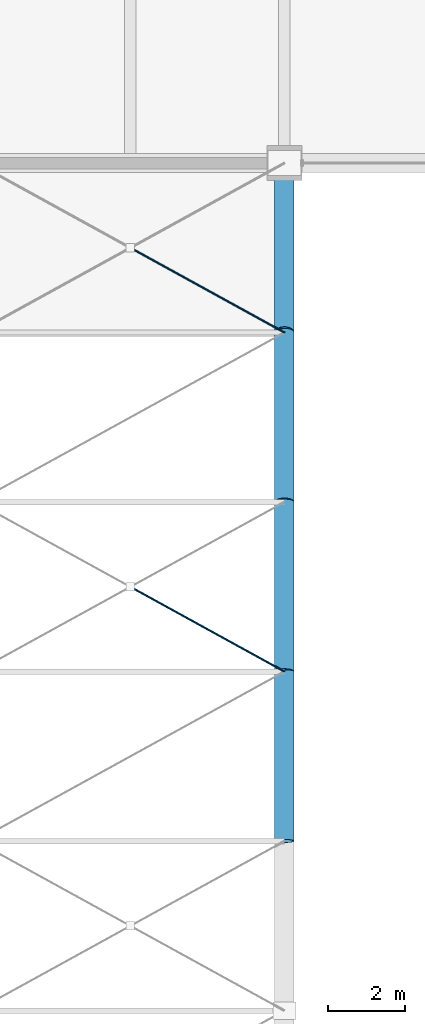
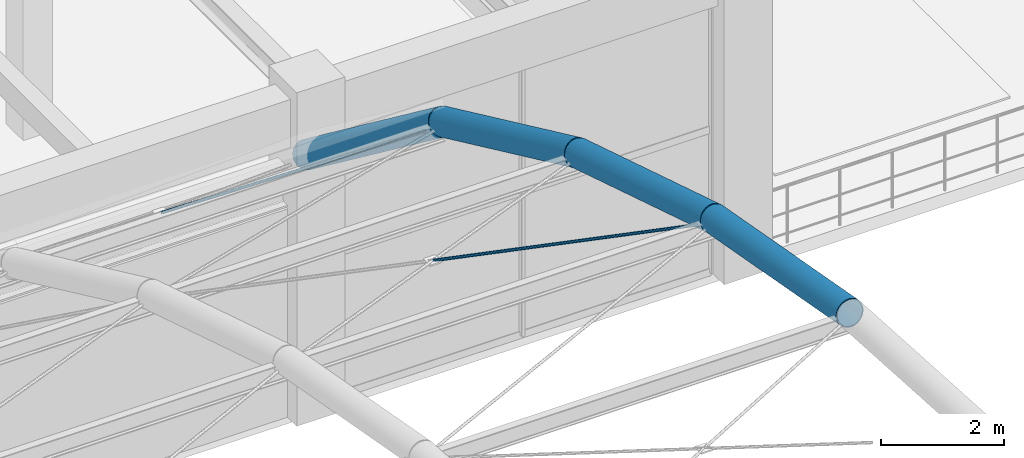
# One storey, part 107 of 163: 4 beams, 2 members.
"""IFC4 building model written with IfcOpenShell, lengths in metres."""

from ifc_helpers import new_model, si_unit, direction, frame, origin, origin_2d, place, context, subcontext, project, spatial, circle, hollow_circle, extrude, material, material_profile, profile_set, type_object, element, save


model = new_model("IFC4")

# Units and contexts
model_context = context("Model", 3, precision=1e-05, world=origin(), true_north=direction((0.0, 1.0)))
body_context = subcontext(model_context, "Body", "Model", "MODEL_VIEW")
ifc_project = project(units=[si_unit("LENGTHUNIT", "METRE"), si_unit("AREAUNIT", "SQUARE_METRE"), si_unit("VOLUMEUNIT", "CUBIC_METRE"), si_unit("PLANEANGLEUNIT", "RADIAN"), si_unit("MASSUNIT", "GRAM", prefix="KILO")], contexts=[model_context])

# Site, building, storey
site_placement = place(None, origin())
site = spatial("IfcSite", under=ifc_project, at=site_placement, CompositionType="ELEMENT")
building_placement = place(site_placement, origin())
building = spatial("IfcBuilding", under=site, at=building_placement, Name="Varnabhumi Central Station", CompositionType="ELEMENT")
storey_placement = place(building_placement, frame((0.0, 0.0, 9.60009765625)))
storey = spatial("IfcBuildingStorey", under=building, at=storey_placement, Name="L02", CompositionType="ELEMENT", Elevation=9.60009765625)

# Beams
ifc_material_1 = material(Name="Structural steel E350", Category="steel")
ifc_material_profile_1 = material_profile(ifc_material_1, hollow_circle(Radius=0.25390625, WallThickness=0.02001953125, at=origin_2d()), Name="Structural steel E350", Category="steel")
ifc_profile_set_1 = profile_set([ifc_material_profile_1], Name="Structural steel E350")
beam_type = type_object("IfcBeamType", Name="BM-ARCH-CHS508", PredefinedType="BEAM", material=ifc_profile_set_1)
beam_1_placement = place(storey_placement, frame((136.0, 62.39990234375, 12.486572265625), z_axis=(0.0, 0.983888247404, -0.17878455364), x_axis=(-1.0, 0.0, 0.0)))
element("IfcBeam", 1, at=beam_1_placement, inside=storey, type_object=beam_type, Name="Departure Concourse Vault Arch Rib 9 Seg 7", PredefinedType="BEAM", context=body_context, shape_type="SweptSolid", body=[
    extrude(hollow_circle(Radius=0.25390625, WallThickness=0.02001953125, at=origin_2d()), origin(), (0.0, 0.0, 1.0), 4.47216796875),
])
beam_2_placement = place(storey_placement, frame((136.0, 66.800048828125, 11.68701171875), z_axis=(0.0, 0.954719095828, -0.29750873611), x_axis=(-1.0, 0.0, 0.0)))
element("IfcBeam", 2, at=beam_2_placement, inside=storey, type_object=beam_type, Name="Departure Concourse Vault Arch Rib 9 Seg 8", PredefinedType="BEAM", context=body_context, shape_type="SweptSolid", body=[
    extrude(hollow_circle(Radius=0.25390625, WallThickness=0.02001953125, at=origin_2d()), origin(), (0.0, 0.0, 1.0), 4.608642578125),
])
beam_3_placement = place(storey_placement, frame((136.0, 71.199951171875, 10.31591796875), z_axis=(0.0, 0.906832494276, -0.421491194837), x_axis=(-1.0, 0.0, 0.0)))
element("IfcBeam", 3, at=beam_3_placement, inside=storey, type_object=beam_type, Name="Departure Concourse Vault Arch Rib 9 Seg 9", PredefinedType="BEAM", context=body_context, shape_type="SweptSolid", body=[
    extrude(hollow_circle(Radius=0.25390625, WallThickness=0.02001953125, at=origin_2d()), origin(), (0.0, 0.0, 1.0), 4.852294921875),
])
beam_4_placement = place(storey_placement, frame((136.0, 75.60009765625, 8.270751953125), z_axis=(0.0, 0.798178703242, -0.602420748058), x_axis=(-1.0, 0.0, 0.0)))
element("IfcBeam", 4, at=beam_4_placement, inside=storey, type_object=beam_type, Name="Departure Concourse Vault Arch Rib 9 Seg 10", PredefinedType="BEAM", context=body_context, shape_type="SweptSolid", body=[
    extrude(hollow_circle(Radius=0.25390625, WallThickness=0.02001953125, at=origin_2d()), origin(), (0.0, 0.0, 1.0), 5.512451171875),
])

# Members
ifc_material_2 = material(Name="Spiral-strand steel S1570", Category="steel")
ifc_material_profile_2 = material_profile(ifc_material_2, circle(Radius=0.027099609375, at=origin_2d()), Name="Spiral-strand steel S1570", Category="steel")
ifc_profile_set_2 = profile_set([ifc_material_profile_2], Name="Spiral-strand steel S1570")
member_type = type_object("IfcMemberType", Name="MBR-CABLE-D54", PredefinedType="USERDEFINED", material=ifc_profile_set_2)
member_1_placement = place(storey_placement, frame((132.0, 69.0, 10.92138671875), z_axis=(0.866504286303, -0.476566780022, 0.148507326412), x_axis=(0.481910537812, 0.876220425204, 0.0)))
element("IfcMember", 5, at=member_1_placement, inside=storey, type_object=member_type, Name="Departure Concourse Vault Cable-Net Split Tie B8-P8B2", ObjectType="TENSION CABLE", PredefinedType="USERDEFINED", context=body_context, shape_type="SweptSolid", body=[
    extrude(circle(Radius=0.027099609375, at=origin_2d()), origin(), (0.0, 0.0, 1.0), 4.6162109375),
])
member_2_placement = place(storey_placement, frame((132.0, 77.800048828125, 6.5302734375), z_axis=(0.823430141181, -0.452876526012, 0.341856190205), x_axis=(0.481910537812, 0.876220425204, 0.0)))
element("IfcMember", 6, at=member_2_placement, inside=storey, type_object=member_type, Name="Departure Concourse Vault Cable-Net Split Tie B8-P10B2", ObjectType="TENSION CABLE", PredefinedType="USERDEFINED", context=body_context, shape_type="SweptSolid", body=[
    extrude(circle(Radius=0.027099609375, at=origin_2d()), origin(), (0.0, 0.0, 1.0), 4.857666015625),
])

save(model, "model.ifc")
